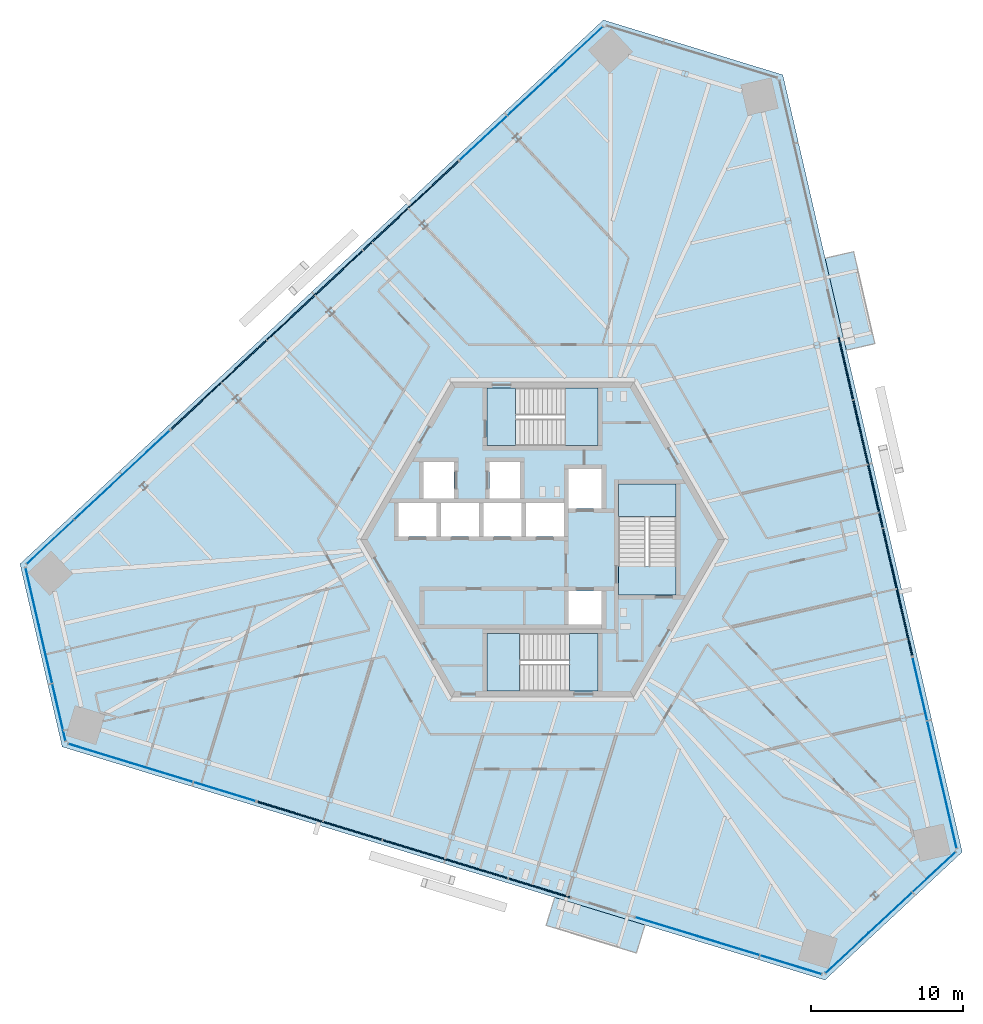
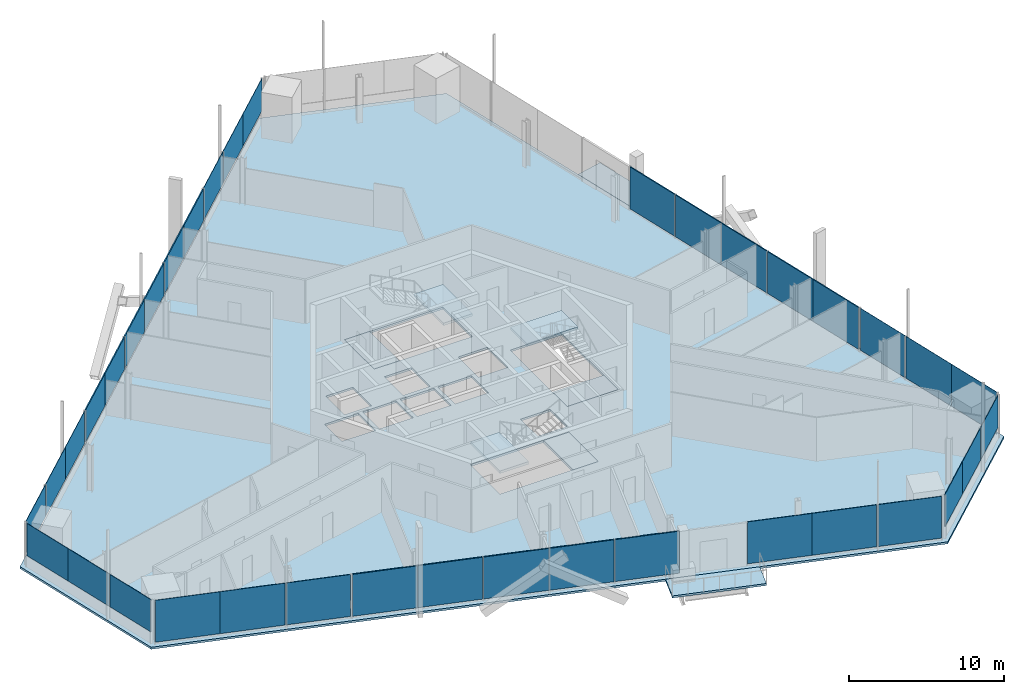
# One storey, part 11 of 24: 37 plates, 9 slabs, 13 elements without a shape of their own.
"""IFC4 building model written with IfcOpenShell, lengths in metres."""

from ifc_helpers import new_model, si_unit, direction, frame, origin, origin_2d, place, context, subcontext, project, spatial, polyline, rectangle, outline, extrude, source, transform, mapped, material, layer, layer_set, type_object, element, aggregate, save


model = new_model("IFC4")

# Units and contexts
model_context = context("Model", 3, precision=1e-05, world=origin(), true_north=direction((0.0, 1.0)))
body_context = subcontext(model_context, "Body", "Model", "MODEL_VIEW")
ifc_project = project(units=[si_unit("LENGTHUNIT", "METRE"), si_unit("AREAUNIT", "SQUARE_METRE"), si_unit("VOLUMEUNIT", "CUBIC_METRE"), si_unit("PLANEANGLEUNIT", "RADIAN"), si_unit("MASSUNIT", "GRAM", prefix="KILO")], contexts=[model_context])

# Site, building, storey
site_placement = place(None, origin())
site = spatial("IfcSite", under=ifc_project, at=site_placement, CompositionType="ELEMENT")
building_placement = place(site_placement, origin())
building = spatial("IfcBuilding", under=site, at=building_placement, Name="Triune Harvest Tower", CompositionType="ELEMENT")
storey_placement = place(building_placement, frame((0.0, 0.0, 112.699951171875)))
storey = spatial("IfcBuildingStorey", under=building, at=storey_placement, Name="L28", CompositionType="ELEMENT", Elevation=112.699951171875)

# Slabs
ifc_material_1 = material(Name="Concrete 40 MPa", Category="concrete")
ifc_layer_1 = layer(ifc_material_1, 0.159912109375)
ifc_layer_set_1 = layer_set([ifc_layer_1], Name="Concrete 40 MPa")
slab_type_1 = type_object("IfcSlabType", Name="BA-1 balcony slab 160", PredefinedType="FLOOR", material=ifc_layer_set_1)
slab_1_placement = place(storey_placement, frame((0.0, 0.0, -0.159912109375)))
element("IfcSlab", 1, at=slab_1_placement, inside=storey, type_object=slab_type_1, Name="Balcony slab B3-F1 L28.9", PredefinedType="FLOOR", context=body_context, shape_type="SweptSolid", body=[
    extrude(outline(polyline([(20.02783203125, 12.489990234375), (18.62890625, 18.54931640625), (20.5107421875, 18.98388671875), (21.90966796875, 12.92431640625), (20.02783203125, 12.489990234375)])), origin(), (0.0, 0.0, 1.0), 0.159912109375),
])
slab_2_placement = place(storey_placement, frame((0.0, 0.0, -0.159912109375)))
element("IfcSlab", 2, at=slab_2_placement, inside=storey, type_object=slab_type_1, Name="Balcony slab B3-F5 L28.9", PredefinedType="FLOOR", context=body_context, shape_type="SweptSolid", body=[
    extrude(outline(polyline([(0.802490234375, -23.589599609375), (6.749755859375, -25.407958984375), (6.18505859375, -27.2548828125), (0.23779296875, -25.4365234375), (0.802490234375, -23.589599609375)])), origin(), (0.0, 0.0, 1.0), 0.159912109375),
])
ifc_material_2 = material(Name="Concrete 40 MPa", Category="concrete")
ifc_layer_2 = layer(ifc_material_2, 0.159912109375)
ifc_layer_set_2 = layer_set([ifc_layer_2], Name="Concrete 40 MPa")
slab_type_2 = type_object("IfcSlabType", Name="SL-1 Composite floor slab 160", PredefinedType="FLOOR", material=ifc_layer_set_2)
shared_shape_1 = source(origin(), body_context, "Body", "SweptSolid", [
    extrude(outline(polyline([(27.666748046875, -20.59765625), (15.83740234375, 30.641357421875), (4.004638671875, 34.2587890625), (-34.454833984375, -1.60498046875), (-31.67138671875, -13.661376953125), (18.617431640625, -29.0361328125), (27.666748046875, -20.59765625)]), holes=[polyline([(-7.0, 0.2099609375), (-7.0, 2.409912109375), (-9.5, 2.409912109375), (-9.5, 0.2099609375), (-7.0, 0.2099609375)]), polyline([(-4.199951171875, 0.2099609375), (-4.199951171875, 2.409912109375), (-6.699951171875, 2.409912109375), (-6.699951171875, 0.2099609375), (-4.199951171875, 0.2099609375)]), polyline([(-1.39990234375, 0.2099609375), (-1.39990234375, 2.409912109375), (-3.89990234375, 2.409912109375), (-3.89990234375, 0.2099609375), (-1.39990234375, 0.2099609375)]), polyline([(1.39990234375, 0.2099609375), (1.39990234375, 2.409912109375), (-1.10009765625, 2.409912109375), (-1.10009765625, 0.2099609375), (1.39990234375, 0.2099609375)]), polyline([(3.89990234375, 2.06005859375), (3.89990234375, 4.659912109375), (1.699951171875, 4.659912109375), (1.699951171875, 2.06005859375), (3.89990234375, 2.06005859375)]), polyline([(3.89990234375, -5.590087890625), (3.89990234375, -3.389892578125), (1.699951171875, -3.389892578125), (1.699951171875, -5.590087890625), (3.89990234375, -5.590087890625)]), polyline([(-5.85009765625, 2.7099609375), (-5.85009765625, 5.110107421875), (-7.85009765625, 5.110107421875), (-7.85009765625, 2.7099609375), (-5.85009765625, 2.7099609375)]), polyline([(-1.5, 2.7099609375), (-1.5, 5.110107421875), (-3.5, 5.110107421875), (-3.5, 2.7099609375), (-1.5, 2.7099609375)]), polyline([(3.64990234375, 6.18994140625), (3.64990234375, 9.989990234375), (-3.64990234375, 9.989990234375), (-3.64990234375, 6.18994140625), (3.64990234375, 6.18994140625)]), polyline([(3.64990234375, -9.989990234375), (3.64990234375, -6.18994140625), (-3.64990234375, -6.18994140625), (-3.64990234375, -9.989990234375), (3.64990234375, -9.989990234375)]), polyline([(8.800048828125, -3.64990234375), (8.800048828125, 3.64990234375), (5.0, 3.64990234375), (5.0, -3.64990234375), (8.800048828125, -3.64990234375)])]), origin(), (0.0, 0.0, 1.0), 0.159912109375),
])
slab_3_placement = place(storey_placement, frame((0.0, 0.0, -0.159912109375)))
element("IfcSlab", 3, at=slab_3_placement, inside=storey, type_object=slab_type_2, Name="slab/L28/1", PredefinedType="FLOOR", context=body_context, shape_type="MappedRepresentation", body=[
    mapped(shared_shape_1, transform((0.0, 0.0, 0.0), scale=1.0)),
])

# Stair, slabs
ifc_material_3 = material(Name="Concrete 40 MPa", Category="concrete")
stair_type = type_object("IfcStairType", Name="Exit stair 1800 half turn", PredefinedType="HALF_TURN_STAIR", material=ifc_material_3)
stair_1_placement = place(storey_placement, origin())
stair_1 = element("IfcStair", 4, at=stair_1_placement, inside=storey, type_object=stair_type, Name="Exit stair north", PredefinedType="HALF_TURN_STAIR")
ifc_material_4 = material(Name="Concrete 40 MPa", Category="concrete")
ifc_layer_3 = layer(ifc_material_4, 0.199951171875)
ifc_layer_set_3 = layer_set([ifc_layer_3], Name="Concrete 40 MPa")
slab_type_3 = type_object("IfcSlabType", Name="Stair landing 200", PredefinedType="LANDING", material=ifc_layer_set_3)
shared_shape_2 = source(origin(), body_context, "Body", "SweptSolid", [
    extrude(outline(polyline([(1.510009765625, 6.18994140625), (3.64990234375, 6.18994140625), (3.64990234375, 9.989990234375), (1.510009765625, 9.989990234375), (1.510009765625, 6.18994140625)])), origin(), (0.0, 0.0, 1.0), 0.199951171875),
])
slab_4_placement = place(storey_placement, frame((0.0, 0.0, 1.60009765625)))
slab_4 = element("IfcSlab", 5, at=slab_4_placement, type_object=slab_type_3, Name="ST-1 landing 2", PredefinedType="LANDING", context=body_context, shape_type="MappedRepresentation", body=[
    mapped(shared_shape_2, transform((0.0, 0.0, 0.0), scale=1.0)),
])
shared_shape_3 = source(origin(), body_context, "Body", "SweptSolid", [
    extrude(outline(polyline([(-3.64990234375, 6.18994140625), (-1.780029296875, 6.18994140625), (-1.780029296875, 9.989990234375), (-3.64990234375, 9.989990234375), (-3.64990234375, 6.18994140625)])), origin(), (0.0, 0.0, 1.0), 0.199951171875),
])
slab_5_placement = place(storey_placement, frame((0.0, 0.0, -0.199951171875)))
slab_5 = element("IfcSlab", 6, at=slab_5_placement, type_object=slab_type_3, Name="ST-1 landing 1", PredefinedType="LANDING", context=body_context, shape_type="MappedRepresentation", body=[
    mapped(shared_shape_3, transform((0.0, 0.0, 0.0), scale=1.0)),
])
aggregate(stair_1, [slab_5, slab_4])

stair_2_placement = place(storey_placement, origin())
stair_2 = element("IfcStair", 7, at=stair_2_placement, inside=storey, type_object=stair_type, Name="Exit stair south", PredefinedType="HALF_TURN_STAIR")
shared_shape_4 = source(origin(), body_context, "Body", "SweptSolid", [
    extrude(outline(polyline([(-1.510009765625, -6.18994140625), (-3.64990234375, -6.18994140625), (-3.64990234375, -9.989990234375), (-1.510009765625, -9.989990234375), (-1.510009765625, -6.18994140625)])), origin(), (0.0, 0.0, 1.0), 0.199951171875),
])
slab_6_placement = place(storey_placement, frame((0.0, 0.0, 1.60009765625)))
slab_6 = element("IfcSlab", 8, at=slab_6_placement, type_object=slab_type_3, Name="ST-2 landing 2", PredefinedType="LANDING", context=body_context, shape_type="MappedRepresentation", body=[
    mapped(shared_shape_4, transform((0.0, 0.0, 0.0), scale=1.0)),
])
shared_shape_5 = source(origin(), body_context, "Body", "SweptSolid", [
    extrude(outline(polyline([(3.64990234375, -6.18994140625), (1.780029296875, -6.18994140625), (1.780029296875, -9.989990234375), (3.64990234375, -9.989990234375), (3.64990234375, -6.18994140625)])), origin(), (0.0, 0.0, 1.0), 0.199951171875),
])
slab_7_placement = place(storey_placement, frame((0.0, 0.0, -0.199951171875)))
slab_7 = element("IfcSlab", 9, at=slab_7_placement, type_object=slab_type_3, Name="ST-2 landing 1", PredefinedType="LANDING", context=body_context, shape_type="MappedRepresentation", body=[
    mapped(shared_shape_5, transform((0.0, 0.0, 0.0), scale=1.0)),
])
aggregate(stair_2, [slab_7, slab_6])

stair_3_placement = place(storey_placement, origin())
stair_3 = element("IfcStair", 10, at=stair_3_placement, inside=storey, type_object=stair_type, Name="Exit stair east", PredefinedType="HALF_TURN_STAIR")
shared_shape_6 = source(origin(), body_context, "Body", "SweptSolid", [
    extrude(outline(polyline([(8.800048828125, 1.510009765625), (8.800048828125, 3.64990234375), (5.0, 3.64990234375), (5.0, 1.510009765625), (8.800048828125, 1.510009765625)])), origin(), (0.0, 0.0, 1.0), 0.199951171875),
])
slab_8_placement = place(storey_placement, frame((0.0, 0.0, 1.60009765625)))
slab_8 = element("IfcSlab", 11, at=slab_8_placement, type_object=slab_type_3, Name="ST-3 landing 2", PredefinedType="LANDING", context=body_context, shape_type="MappedRepresentation", body=[
    mapped(shared_shape_6, transform((0.0, 0.0, 0.0), scale=1.0)),
])
shared_shape_7 = source(origin(), body_context, "Body", "SweptSolid", [
    extrude(outline(polyline([(8.800048828125, -3.64990234375), (8.800048828125, -1.780029296875), (5.0, -1.780029296875), (5.0, -3.64990234375), (8.800048828125, -3.64990234375)])), origin(), (0.0, 0.0, 1.0), 0.199951171875),
])
slab_9_placement = place(storey_placement, frame((0.0, 0.0, -0.199951171875)))
slab_9 = element("IfcSlab", 12, at=slab_9_placement, type_object=slab_type_3, Name="ST-3 landing 1", PredefinedType="LANDING", context=body_context, shape_type="MappedRepresentation", body=[
    mapped(shared_shape_7, transform((0.0, 0.0, 0.0), scale=1.0)),
])
aggregate(stair_3, [slab_9, slab_8])

# Curtain wall, plate
ifc_material_5 = material(Name="Aluminium bronze anodised", Category="aluminium")
curtain_wall_type_1 = type_object("IfcCurtainWallType", Name="CW-1 Tower stick curtain wall", PredefinedType="NOTDEFINED", material=ifc_material_5)
curtain_wall_1_placement = place(storey_placement, origin())
curtain_wall_1 = element("IfcCurtainWall", 13, at=curtain_wall_1_placement, inside=storey, type_object=curtain_wall_type_1, Name="CW-1 B3-F4 L28 run 1")
ifc_material_6 = material(Name="Glass", Category="glass")
ifc_layer_4 = layer(ifc_material_6, 0.031982421875)
ifc_layer_set_4 = layer_set([ifc_layer_4], Name="Glass")
plate_type_1 = type_object("IfcPlateType", Name="GL-1 panel 32", PredefinedType="CURTAIN_PANEL", material=ifc_layer_set_4)
shared_shape_8 = source(origin(), body_context, "Body", "SweptSolid", [
    extrude(rectangle(XDim=3.8740234375, YDim=0.031982421875, at=origin_2d()), origin(), (0.0, 0.0, 1.0), 2.5400390625),
])
plate_1_placement = place(storey_placement, frame((-33.650634765625, -3.75439453125, 0.900146484375), z_axis=(0.0, 0.0, 1.0), x_axis=(0.224946950683, -0.974371012181, 0.0)))
plate_1 = element("IfcPlate", 14, at=plate_1_placement, type_object=plate_type_1, Name="CW-1 panel B3-F4 1.1", PredefinedType="CURTAIN_PANEL", context=body_context, shape_type="MappedRepresentation", body=[
    mapped(shared_shape_8, transform((0.0, 0.0, 0.0), scale=1.0)),
])

curtain_wall_2_placement = place(storey_placement, origin())
curtain_wall_2 = element("IfcCurtainWall", 15, at=curtain_wall_2_placement, inside=storey, type_object=curtain_wall_type_1, Name="CW-1 B3-F6 L28 run 1")
plate_2_placement = place(storey_placement, frame((20.076904296875, -27.26513671875, 0.900146484375), z_axis=(0.0, 0.0, 1.0), x_axis=(0.731349946151, 0.682002387287, 0.0)))
plate_2 = element("IfcPlate", 16, at=plate_2_placement, type_object=plate_type_1, Name="CW-1 panel B3-F6 1.1", PredefinedType="CURTAIN_PANEL", context=body_context, shape_type="MappedRepresentation", body=[
    mapped(shared_shape_8, transform((0.0, 0.0, 0.0), scale=1.0)),
])

# Plate
shared_shape_9 = source(origin(), body_context, "Body", "SweptSolid", [
    extrude(rectangle(XDim=3.911376953125, YDim=0.031982421875, at=origin_2d()), origin(), (0.0, 0.0, 1.0), 2.5400390625),
])
plate_3_placement = place(storey_placement, frame((-32.77490234375, -7.54736328125, 0.900146484375), z_axis=(0.0, 0.0, 1.0), x_axis=(0.224946950683, -0.974371012181, 0.0)))
plate_3 = element("IfcPlate", 17, at=plate_3_placement, type_object=plate_type_1, Name="CW-1 panel B3-F4 1.2", PredefinedType="CURTAIN_PANEL", context=body_context, shape_type="MappedRepresentation", body=[
    mapped(shared_shape_9, transform((0.0, 0.0, 0.0), scale=1.0)),
])

plate_4_placement = place(storey_placement, frame((22.923828125, -24.6103515625, 0.900146484375), z_axis=(0.0, 0.0, 1.0), x_axis=(0.731349946151, 0.682002387287, 0.0)))
plate_4 = element("IfcPlate", 18, at=plate_4_placement, type_object=plate_type_1, Name="CW-1 panel B3-F6 1.2", PredefinedType="CURTAIN_PANEL", context=body_context, shape_type="MappedRepresentation", body=[
    mapped(shared_shape_9, transform((0.0, 0.0, 0.0), scale=1.0)),
])

shared_shape_10 = source(origin(), body_context, "Body", "SweptSolid", [
    extrude(rectangle(XDim=3.83642578125, YDim=0.031982421875, at=origin_2d()), origin(), (0.0, 0.0, 1.0), 2.5400390625),
])
plate_5_placement = place(storey_placement, frame((-31.88671875, -11.395263671875, 0.900146484375), z_axis=(0.0, 0.0, 1.0), x_axis=(0.224946950683, -0.974371012181, 0.0)))
plate_5 = element("IfcPlate", 19, at=plate_5_placement, type_object=plate_type_1, Name="CW-1 panel B3-F4 1.3", PredefinedType="CURTAIN_PANEL", context=body_context, shape_type="MappedRepresentation", body=[
    mapped(shared_shape_10, transform((0.0, 0.0, 0.0), scale=1.0)),
])

aggregate(curtain_wall_1, [plate_1, plate_3, plate_5])

plate_6_placement = place(storey_placement, frame((25.81201171875, -21.9169921875, 0.900146484375), z_axis=(0.0, 0.0, 1.0), x_axis=(0.731349946151, 0.682002387287, 0.0)))
plate_6 = element("IfcPlate", 20, at=plate_6_placement, type_object=plate_type_1, Name="CW-1 panel B3-F6 1.3", PredefinedType="CURTAIN_PANEL", context=body_context, shape_type="MappedRepresentation", body=[
    mapped(shared_shape_10, transform((0.0, 0.0, 0.0), scale=1.0)),
])

aggregate(curtain_wall_2, [plate_2, plate_4, plate_6])

# Curtain wall, plates
ifc_material_7 = material(Name="Aluminium bronze anodised", Category="aluminium")
curtain_wall_type_2 = type_object("IfcCurtainWallType", Name="CW-7 Tower stick curtain wall with insulated spandrel infill", PredefinedType="NOTDEFINED", material=ifc_material_7)
curtain_wall_3_placement = place(storey_placement, origin())
curtain_wall_3 = element("IfcCurtainWall", 21, at=curtain_wall_3_placement, inside=storey, type_object=curtain_wall_type_2, Name="CW-7 B3-F3 L28 run 1001")
ifc_material_8 = material(Name="Insulated spandrel panel, bronze aluminium pan", Category="aluminium")
ifc_layer_5 = layer(ifc_material_8, 0.080078125)
ifc_layer_set_5 = layer_set([ifc_layer_5], Name="Insulated spandrel panel, bronze aluminium pan")
plate_type_2 = type_object("IfcPlateType", Name="SP-1 insulated spandrel panel 80", PredefinedType="CURTAIN_PANEL", material=ifc_layer_set_5)
shared_shape_11 = source(origin(), body_context, "Body", "SweptSolid", [
    extrude(rectangle(XDim=4.263427734375, YDim=0.080078125, at=origin_2d()), origin(), (0.0, 0.0, 1.0), 2.5400390625),
])
plate_7_placement = place(storey_placement, frame((-7.11572265625, 23.478759765625, 0.900146484375), z_axis=(0.0, 0.0, 1.0), x_axis=(-0.731353116224, -0.681998987822, 0.0)))
plate_7 = element("IfcPlate", 22, at=plate_7_placement, type_object=plate_type_2, Name="CW-7 panel B3-F3 1001.1", PredefinedType="CURTAIN_PANEL", context=body_context, shape_type="MappedRepresentation", body=[
    mapped(shared_shape_11, transform((0.0, 0.0, 0.0), scale=1.0)),
])
plate_8_placement = place(storey_placement, frame((-22.92529296875, 8.736083984375, 0.900146484375), z_axis=(0.0, 0.0, 1.0), x_axis=(-0.731353116224, -0.681998987822, 0.0)))
plate_8 = element("IfcPlate", 23, at=plate_8_placement, type_object=plate_type_2, Name="CW-7 panel B3-F3 1001.6", PredefinedType="CURTAIN_PANEL", context=body_context, shape_type="MappedRepresentation", body=[
    mapped(shared_shape_11, transform((0.0, 0.0, 0.0), scale=1.0)),
])
shared_shape_12 = source(origin(), body_context, "Body", "SweptSolid", [
    extrude(rectangle(XDim=4.30078125, YDim=0.080078125, at=origin_2d()), origin(), (0.0, 0.0, 1.0), 2.5400390625),
])
plate_9_placement = place(storey_placement, frame((-10.247314453125, 20.558349609375, 0.900146484375), z_axis=(0.0, 0.0, 1.0), x_axis=(-0.731353116224, -0.681998987822, 0.0)))
plate_9 = element("IfcPlate", 24, at=plate_9_placement, type_object=plate_type_2, Name="CW-7 panel B3-F3 1001.2", PredefinedType="CURTAIN_PANEL", context=body_context, shape_type="MappedRepresentation", body=[
    mapped(shared_shape_12, transform((0.0, 0.0, 0.0), scale=1.0)),
])
plate_10_placement = place(storey_placement, frame((-13.44775390625, 17.573974609375, 0.900146484375), z_axis=(0.0, 0.0, 1.0), x_axis=(-0.731353116224, -0.681998987822, 0.0)))
plate_10 = element("IfcPlate", 25, at=plate_10_placement, type_object=plate_type_2, Name="CW-7 panel B3-F3 1001.3", PredefinedType="CURTAIN_PANEL", context=body_context, shape_type="MappedRepresentation", body=[
    mapped(shared_shape_12, transform((0.0, 0.0, 0.0), scale=1.0)),
])
plate_11_placement = place(storey_placement, frame((-16.59326171875, 14.640869140625, 0.900146484375), z_axis=(0.0, 0.0, 1.0), x_axis=(-0.731353116224, -0.681998987822, 0.0)))
plate_11 = element("IfcPlate", 26, at=plate_11_placement, type_object=plate_type_2, Name="CW-7 panel B3-F3 1001.4", PredefinedType="CURTAIN_PANEL", context=body_context, shape_type="MappedRepresentation", body=[
    mapped(shared_shape_12, transform((0.0, 0.0, 0.0), scale=1.0)),
])
plate_12_placement = place(storey_placement, frame((-19.79345703125, 11.656494140625, 0.900146484375), z_axis=(0.0, 0.0, 1.0), x_axis=(-0.731353116224, -0.681998987822, 0.0)))
plate_12 = element("IfcPlate", 27, at=plate_12_placement, type_object=plate_type_2, Name="CW-7 panel B3-F3 1001.5", PredefinedType="CURTAIN_PANEL", context=body_context, shape_type="MappedRepresentation", body=[
    mapped(shared_shape_12, transform((0.0, 0.0, 0.0), scale=1.0)),
])
aggregate(curtain_wall_3, [plate_7, plate_9, plate_10, plate_11, plate_12, plate_8])

# Curtain wall, plate
curtain_wall_4_placement = place(storey_placement, origin())
curtain_wall_4 = element("IfcCurtainWall", 28, at=curtain_wall_4_placement, inside=storey, type_object=curtain_wall_type_1, Name="CW-1 B3-F3 L28 run 1")
shared_shape_13 = source(origin(), body_context, "Body", "SweptSolid", [
    extrude(rectangle(XDim=4.263427734375, YDim=0.031982421875, at=origin_2d()), origin(), (0.0, 0.0, 1.0), 2.5400390625),
])
plate_13_placement = place(storey_placement, frame((2.40283203125, 32.35498046875, 0.900146484375), z_axis=(0.0, 0.0, 1.0), x_axis=(-0.731353611655, -0.681998456537, 0.0)))
plate_13 = element("IfcPlate", 29, at=plate_13_placement, type_object=plate_type_1, Name="CW-1 panel B3-F3 1.1", PredefinedType="CURTAIN_PANEL", context=body_context, shape_type="MappedRepresentation", body=[
    mapped(shared_shape_13, transform((0.0, 0.0, 0.0), scale=1.0)),
])

curtain_wall_5_placement = place(storey_placement, origin())
curtain_wall_5 = element("IfcCurtainWall", 30, at=curtain_wall_5_placement, inside=storey, type_object=curtain_wall_type_1, Name="CW-1 B3-F3 L28 run 2001")
plate_14_placement = place(storey_placement, frame((-26.153076171875, 5.726318359375, 0.900146484375), z_axis=(0.0, 0.0, 1.0), x_axis=(-0.731353611655, -0.681998456537, 0.0)))
plate_14 = element("IfcPlate", 31, at=plate_14_placement, type_object=plate_type_1, Name="CW-1 panel B3-F3 2001.1", PredefinedType="CURTAIN_PANEL", context=body_context, shape_type="MappedRepresentation", body=[
    mapped(shared_shape_13, transform((0.0, 0.0, 0.0), scale=1.0)),
])

# Plate
shared_shape_14 = source(origin(), body_context, "Body", "SweptSolid", [
    extrude(rectangle(XDim=4.30078125, YDim=0.031982421875, at=origin_2d()), origin(), (0.0, 0.0, 1.0), 2.5400390625),
])
plate_15_placement = place(storey_placement, frame((-0.728759765625, 29.434814453125, 0.900146484375), z_axis=(0.0, 0.0, 1.0), x_axis=(-0.731353611655, -0.681998456537, 0.0)))
plate_15 = element("IfcPlate", 32, at=plate_15_placement, type_object=plate_type_1, Name="CW-1 panel B3-F3 1.2", PredefinedType="CURTAIN_PANEL", context=body_context, shape_type="MappedRepresentation", body=[
    mapped(shared_shape_14, transform((0.0, 0.0, 0.0), scale=1.0)),
])

plate_16_placement = place(storey_placement, frame((-29.28466796875, 2.805908203125, 0.900146484375), z_axis=(0.0, 0.0, 1.0), x_axis=(-0.731353611655, -0.681998456537, 0.0)))
plate_16 = element("IfcPlate", 33, at=plate_16_placement, type_object=plate_type_1, Name="CW-1 panel B3-F3 2001.2", PredefinedType="CURTAIN_PANEL", context=body_context, shape_type="MappedRepresentation", body=[
    mapped(shared_shape_14, transform((0.0, 0.0, 0.0), scale=1.0)),
])

# Curtain wall, plate
ifc_material_9 = material(Name="Aluminium bronze anodised", Category="aluminium")
curtain_wall_type_3 = type_object("IfcCurtainWallType", Name="CW-6 Balcony window wall", PredefinedType="NOTDEFINED", material=ifc_material_9)
curtain_wall_6_placement = place(storey_placement, origin())
curtain_wall_6 = element("IfcCurtainWall", 34, at=curtain_wall_6_placement, inside=storey, type_object=curtain_wall_type_3, Name="CW-6 B3-F1 L28 run 1")
ifc_material_10 = material(Name="Glass", Category="glass")
ifc_layer_6 = layer(ifc_material_10, 0.030029296875)
ifc_layer_set_6 = layer_set([ifc_layer_6], Name="Glass")
plate_type_3 = type_object("IfcPlateType", Name="GL-6 panel 30", PredefinedType="CURTAIN_PANEL", material=ifc_layer_set_6)
shared_shape_15 = source(origin(), body_context, "Body", "SweptSolid", [
    extrude(rectangle(XDim=4.26708984375, YDim=0.030029296875, at=origin_2d()), origin(), (0.0, 0.0, 1.0), 3.2900390625),
])
plate_17_placement = place(storey_placement, frame((26.818359375, -18.256591796875, 0.150146484375), z_axis=(0.0, 0.0, 1.0), x_axis=(-0.224949699818, 0.974370377501, 0.0)))
plate_17 = element("IfcPlate", 35, at=plate_17_placement, type_object=plate_type_3, Name="CW-6 panel B3-F1 1.1", PredefinedType="CURTAIN_PANEL", context=body_context, shape_type="MappedRepresentation", body=[
    mapped(shared_shape_15, transform((0.0, 0.0, 0.0), scale=1.0)),
])

curtain_wall_7_placement = place(storey_placement, origin())
curtain_wall_7 = element("IfcCurtainWall", 36, at=curtain_wall_7_placement, inside=storey, type_object=curtain_wall_type_3, Name="CW-6 B3-F5 L28 run 1")
plate_18_placement = place(storey_placement, frame((-29.219970703125, -14.096923828125, 0.150146484375), z_axis=(0.0, 0.0, 1.0), x_axis=(0.956303495015, -0.292375829067, 0.0)))
plate_18 = element("IfcPlate", 37, at=plate_18_placement, type_object=plate_type_3, Name="CW-6 panel B3-F5 1.1", PredefinedType="CURTAIN_PANEL", context=body_context, shape_type="MappedRepresentation", body=[
    mapped(shared_shape_15, transform((0.0, 0.0, 0.0), scale=1.0)),
])

# Plate
shared_shape_16 = source(origin(), body_context, "Body", "SweptSolid", [
    extrude(rectangle(XDim=4.3046875, YDim=0.030029296875, at=origin_2d()), origin(), (0.0, 0.0, 1.0), 3.2900390625),
])
plate_19_placement = place(storey_placement, frame((25.854248046875, -14.08056640625, 0.150146484375), z_axis=(0.0, 0.0, 1.0), x_axis=(-0.224949699818, 0.974370377501, 0.0)))
plate_19 = element("IfcPlate", 38, at=plate_19_placement, type_object=plate_type_3, Name="CW-6 panel B3-F1 1.2", PredefinedType="CURTAIN_PANEL", context=body_context, shape_type="MappedRepresentation", body=[
    mapped(shared_shape_16, transform((0.0, 0.0, 0.0), scale=1.0)),
])

plate_20_placement = place(storey_placement, frame((-25.121337890625, -15.35009765625, 0.150146484375), z_axis=(0.0, 0.0, 1.0), x_axis=(0.956303495015, -0.292375829067, 0.0)))
plate_20 = element("IfcPlate", 39, at=plate_20_placement, type_object=plate_type_3, Name="CW-6 panel B3-F5 1.2", PredefinedType="CURTAIN_PANEL", context=body_context, shape_type="MappedRepresentation", body=[
    mapped(shared_shape_16, transform((0.0, 0.0, 0.0), scale=1.0)),
])

# Curtain wall, plate
ifc_material_11 = material(Name="Aluminium bronze anodised", Category="aluminium")
curtain_wall_type_4 = type_object("IfcCurtainWallType", Name="CW-10 Balcony window wall with insulated spandrel infill", PredefinedType="NOTDEFINED", material=ifc_material_11)
curtain_wall_8_placement = place(storey_placement, origin())
curtain_wall_8 = element("IfcCurtainWall", 40, at=curtain_wall_8_placement, inside=storey, type_object=curtain_wall_type_4, Name="CW-10 B3-F1 L28 run 1001")
shared_shape_17 = source(origin(), body_context, "Body", "SweptSolid", [
    extrude(rectangle(XDim=4.26708984375, YDim=0.080078125, at=origin_2d()), origin(), (0.0, 0.0, 1.0), 3.2900390625),
])
plate_21_placement = place(storey_placement, frame((23.88818359375, -5.564208984375, 0.150146484375), z_axis=(0.0, 0.0, 1.0), x_axis=(-0.224952127097, 0.97436981712, 0.0)))
plate_21 = element("IfcPlate", 41, at=plate_21_placement, type_object=plate_type_2, Name="CW-10 panel B3-F1 1001.1", PredefinedType="CURTAIN_PANEL", context=body_context, shape_type="MappedRepresentation", body=[
    mapped(shared_shape_17, transform((0.0, 0.0, 0.0), scale=1.0)),
])

curtain_wall_9_placement = place(storey_placement, origin())
curtain_wall_9 = element("IfcCurtainWall", 42, at=curtain_wall_9_placement, inside=storey, type_object=curtain_wall_type_4, Name="CW-10 B3-F5 L28 run 1001")
plate_22_placement = place(storey_placement, frame((-16.762939453125, -17.905517578125, 0.150146484375), z_axis=(0.0, 0.0, 1.0), x_axis=(0.956304670449, -0.292371984425, 0.0)))
plate_22 = element("IfcPlate", 43, at=plate_22_placement, type_object=plate_type_2, Name="CW-10 panel B3-F5 1001.1", PredefinedType="CURTAIN_PANEL", context=body_context, shape_type="MappedRepresentation", body=[
    mapped(shared_shape_17, transform((0.0, 0.0, 0.0), scale=1.0)),
])

# Plate
shared_shape_18 = source(origin(), body_context, "Body", "SweptSolid", [
    extrude(rectangle(XDim=4.3046875, YDim=0.080078125, at=origin_2d()), origin(), (0.0, 0.0, 1.0), 3.2900390625),
])
plate_23_placement = place(storey_placement, frame((22.924072265625, -1.38818359375, 0.150146484375), z_axis=(0.0, 0.0, 1.0), x_axis=(-0.224952127097, 0.97436981712, 0.0)))
plate_23 = element("IfcPlate", 44, at=plate_23_placement, type_object=plate_type_2, Name="CW-10 panel B3-F1 1001.2", PredefinedType="CURTAIN_PANEL", context=body_context, shape_type="MappedRepresentation", body=[
    mapped(shared_shape_18, transform((0.0, 0.0, 0.0), scale=1.0)),
])

plate_24_placement = place(storey_placement, frame((21.93896484375, 2.879150390625, 0.150146484375), z_axis=(0.0, 0.0, 1.0), x_axis=(-0.224952127097, 0.97436981712, 0.0)))
plate_24 = element("IfcPlate", 45, at=plate_24_placement, type_object=plate_type_2, Name="CW-10 panel B3-F1 1001.3", PredefinedType="CURTAIN_PANEL", context=body_context, shape_type="MappedRepresentation", body=[
    mapped(shared_shape_18, transform((0.0, 0.0, 0.0), scale=1.0)),
])

plate_25_placement = place(storey_placement, frame((20.970458984375, 7.073486328125, 0.150146484375), z_axis=(0.0, 0.0, 1.0), x_axis=(-0.224952127097, 0.97436981712, 0.0)))
plate_25 = element("IfcPlate", 46, at=plate_25_placement, type_object=plate_type_2, Name="CW-10 panel B3-F1 1001.4", PredefinedType="CURTAIN_PANEL", context=body_context, shape_type="MappedRepresentation", body=[
    mapped(shared_shape_18, transform((0.0, 0.0, 0.0), scale=1.0)),
])

plate_26_placement = place(storey_placement, frame((-12.664306640625, -19.15869140625, 0.150146484375), z_axis=(0.0, 0.0, 1.0), x_axis=(0.956304670449, -0.292371984425, 0.0)))
plate_26 = element("IfcPlate", 47, at=plate_26_placement, type_object=plate_type_2, Name="CW-10 panel B3-F5 1001.2", PredefinedType="CURTAIN_PANEL", context=body_context, shape_type="MappedRepresentation", body=[
    mapped(shared_shape_18, transform((0.0, 0.0, 0.0), scale=1.0)),
])

plate_27_placement = place(storey_placement, frame((-8.47607421875, -20.439208984375, 0.150146484375), z_axis=(0.0, 0.0, 1.0), x_axis=(0.956304670449, -0.292371984425, 0.0)))
plate_27 = element("IfcPlate", 48, at=plate_27_placement, type_object=plate_type_2, Name="CW-10 panel B3-F5 1001.3", PredefinedType="CURTAIN_PANEL", context=body_context, shape_type="MappedRepresentation", body=[
    mapped(shared_shape_18, transform((0.0, 0.0, 0.0), scale=1.0)),
])

plate_28_placement = place(storey_placement, frame((-4.359375, -21.69775390625, 0.150146484375), z_axis=(0.0, 0.0, 1.0), x_axis=(0.956304670449, -0.292371984425, 0.0)))
plate_28 = element("IfcPlate", 49, at=plate_28_placement, type_object=plate_type_2, Name="CW-10 panel B3-F5 1001.4", PredefinedType="CURTAIN_PANEL", context=body_context, shape_type="MappedRepresentation", body=[
    mapped(shared_shape_18, transform((0.0, 0.0, 0.0), scale=1.0)),
])

shared_shape_19 = source(origin(), body_context, "Body", "SweptSolid", [
    extrude(rectangle(XDim=4.225830078125, YDim=0.031982421875, at=origin_2d()), origin(), (0.0, 0.0, 1.0), 2.5400390625),
])
plate_29_placement = place(storey_placement, frame((-3.901611328125, 26.47607421875, 0.900146484375), z_axis=(0.0, 0.0, 1.0), x_axis=(-0.731353611655, -0.681998456537, 0.0)))
plate_29 = element("IfcPlate", 50, at=plate_29_placement, type_object=plate_type_1, Name="CW-1 panel B3-F3 1.3", PredefinedType="CURTAIN_PANEL", context=body_context, shape_type="MappedRepresentation", body=[
    mapped(shared_shape_19, transform((0.0, 0.0, 0.0), scale=1.0)),
])

aggregate(curtain_wall_4, [plate_13, plate_15, plate_29])

plate_30_placement = place(storey_placement, frame((-32.45751953125, -0.15283203125, 0.900146484375), z_axis=(0.0, 0.0, 1.0), x_axis=(-0.731353611655, -0.681998456537, 0.0)))
plate_30 = element("IfcPlate", 51, at=plate_30_placement, type_object=plate_type_1, Name="CW-1 panel B3-F3 2001.3", PredefinedType="CURTAIN_PANEL", context=body_context, shape_type="MappedRepresentation", body=[
    mapped(shared_shape_19, transform((0.0, 0.0, 0.0), scale=1.0)),
])

aggregate(curtain_wall_5, [plate_14, plate_16, plate_30])

shared_shape_20 = source(origin(), body_context, "Body", "SweptSolid", [
    extrude(rectangle(XDim=4.2294921875, YDim=0.030029296875, at=origin_2d()), origin(), (0.0, 0.0, 1.0), 3.2900390625),
])
plate_31_placement = place(storey_placement, frame((24.877685546875, -9.849853515625, 0.150146484375), z_axis=(0.0, 0.0, 1.0), x_axis=(-0.224949699818, 0.974370377501, 0.0)))
plate_31 = element("IfcPlate", 52, at=plate_31_placement, type_object=plate_type_3, Name="CW-6 panel B3-F1 1.3", PredefinedType="CURTAIN_PANEL", context=body_context, shape_type="MappedRepresentation", body=[
    mapped(shared_shape_20, transform((0.0, 0.0, 0.0), scale=1.0)),
])

aggregate(curtain_wall_6, [plate_17, plate_19, plate_31])

plate_32_placement = place(storey_placement, frame((-20.968994140625, -16.61962890625, 0.150146484375), z_axis=(0.0, 0.0, 1.0), x_axis=(0.956303495015, -0.292375829067, 0.0)))
plate_32 = element("IfcPlate", 53, at=plate_32_placement, type_object=plate_type_3, Name="CW-6 panel B3-F5 1.3", PredefinedType="CURTAIN_PANEL", context=body_context, shape_type="MappedRepresentation", body=[
    mapped(shared_shape_20, transform((0.0, 0.0, 0.0), scale=1.0)),
])

aggregate(curtain_wall_7, [plate_18, plate_20, plate_32])

shared_shape_21 = source(origin(), body_context, "Body", "SweptSolid", [
    extrude(rectangle(XDim=4.2294921875, YDim=0.080078125, at=origin_2d()), origin(), (0.0, 0.0, 1.0), 3.2900390625),
])
plate_33_placement = place(storey_placement, frame((19.99365234375, 11.30419921875, 0.150146484375), z_axis=(0.0, 0.0, 1.0), x_axis=(-0.224952127097, 0.97436981712, 0.0)))
plate_33 = element("IfcPlate", 54, at=plate_33_placement, type_object=plate_type_2, Name="CW-10 panel B3-F1 1001.5", PredefinedType="CURTAIN_PANEL", context=body_context, shape_type="MappedRepresentation", body=[
    mapped(shared_shape_21, transform((0.0, 0.0, 0.0), scale=1.0)),
])

aggregate(curtain_wall_8, [plate_21, plate_23, plate_24, plate_25, plate_33])

# Curtain wall, plates
curtain_wall_10_placement = place(storey_placement, origin())
curtain_wall_10 = element("IfcCurtainWall", 55, at=curtain_wall_10_placement, inside=storey, type_object=curtain_wall_type_3, Name="CW-6 B3-F5 L28 run 2")
shared_shape_22 = source(origin(), body_context, "Body", "SweptSolid", [
    extrude(rectangle(XDim=4.248291015625, YDim=0.030029296875, at=origin_2d()), origin(), (0.0, 0.0, 1.0), 3.2900390625),
])
plate_34_placement = place(storey_placement, frame((8.1533203125, -25.523193359375, 0.150146484375), z_axis=(0.0, 0.0, 1.0), x_axis=(0.956304229664, -0.292373426164, 0.0)))
plate_34 = element("IfcPlate", 56, at=plate_34_placement, type_object=plate_type_3, Name="CW-6 panel B3-F5 2.1", PredefinedType="CURTAIN_PANEL", context=body_context, shape_type="MappedRepresentation", body=[
    mapped(shared_shape_22, transform((0.0, 0.0, 0.0), scale=1.0)),
])
shared_shape_23 = source(origin(), body_context, "Body", "SweptSolid", [
    extrude(rectangle(XDim=4.285888671875, YDim=0.030029296875, at=origin_2d()), origin(), (0.0, 0.0, 1.0), 3.2900390625),
])
plate_35_placement = place(storey_placement, frame((12.23388671875, -26.770751953125, 0.150146484375), z_axis=(0.0, 0.0, 1.0), x_axis=(0.956304229664, -0.292373426164, 0.0)))
plate_35 = element("IfcPlate", 57, at=plate_35_placement, type_object=plate_type_3, Name="CW-6 panel B3-F5 2.2", PredefinedType="CURTAIN_PANEL", context=body_context, shape_type="MappedRepresentation", body=[
    mapped(shared_shape_23, transform((0.0, 0.0, 0.0), scale=1.0)),
])
shared_shape_24 = source(origin(), body_context, "Body", "SweptSolid", [
    extrude(rectangle(XDim=4.2109375, YDim=0.030029296875, at=origin_2d()), origin(), (0.0, 0.0, 1.0), 3.2900390625),
])
plate_36_placement = place(storey_placement, frame((16.368408203125, -28.034912109375, 0.150146484375), z_axis=(0.0, 0.0, 1.0), x_axis=(0.956304229664, -0.292373426164, 0.0)))
plate_36 = element("IfcPlate", 58, at=plate_36_placement, type_object=plate_type_3, Name="CW-6 panel B3-F5 2.3", PredefinedType="CURTAIN_PANEL", context=body_context, shape_type="MappedRepresentation", body=[
    mapped(shared_shape_24, transform((0.0, 0.0, 0.0), scale=1.0)),
])
aggregate(curtain_wall_10, [plate_34, plate_35, plate_36])

# Plate
shared_shape_25 = source(origin(), body_context, "Body", "SweptSolid", [
    extrude(rectangle(XDim=4.229736328125, YDim=0.080078125, at=origin_2d()), origin(), (0.0, 0.0, 1.0), 3.2900390625),
])
plate_37_placement = place(storey_placement, frame((-0.20703125, -22.96728515625, 0.150146484375), z_axis=(0.0, 0.0, 1.0), x_axis=(0.956304670449, -0.292371984425, 0.0)))
plate_37 = element("IfcPlate", 59, at=plate_37_placement, type_object=plate_type_2, Name="CW-10 panel B3-F5 1001.5", PredefinedType="CURTAIN_PANEL", context=body_context, shape_type="MappedRepresentation", body=[
    mapped(shared_shape_25, transform((0.0, 0.0, 0.0), scale=1.0)),
])

aggregate(curtain_wall_9, [plate_22, plate_26, plate_27, plate_28, plate_37])

save(model, "model.ifc")
